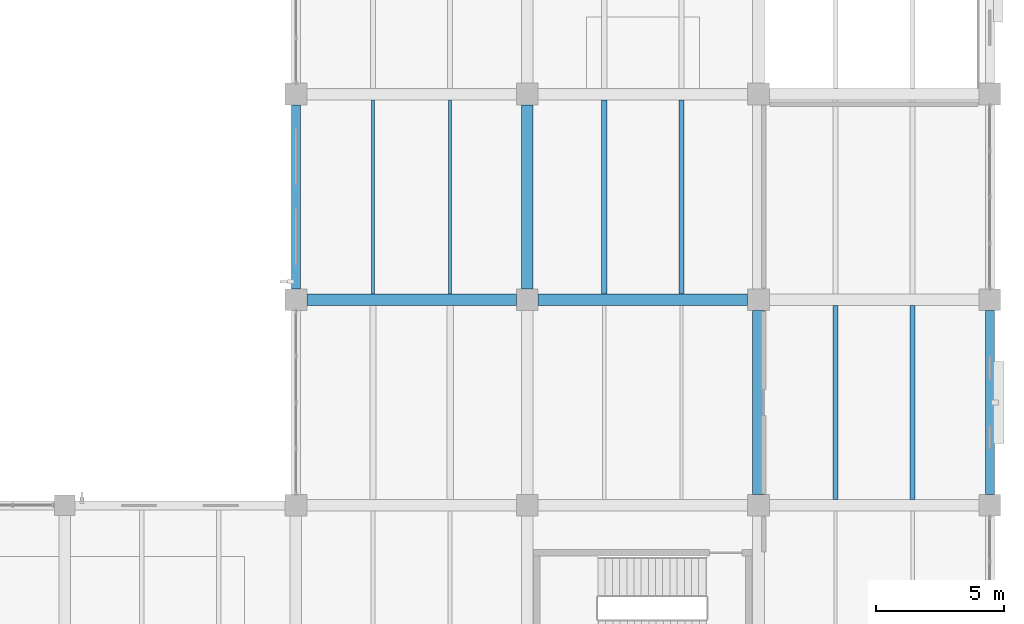
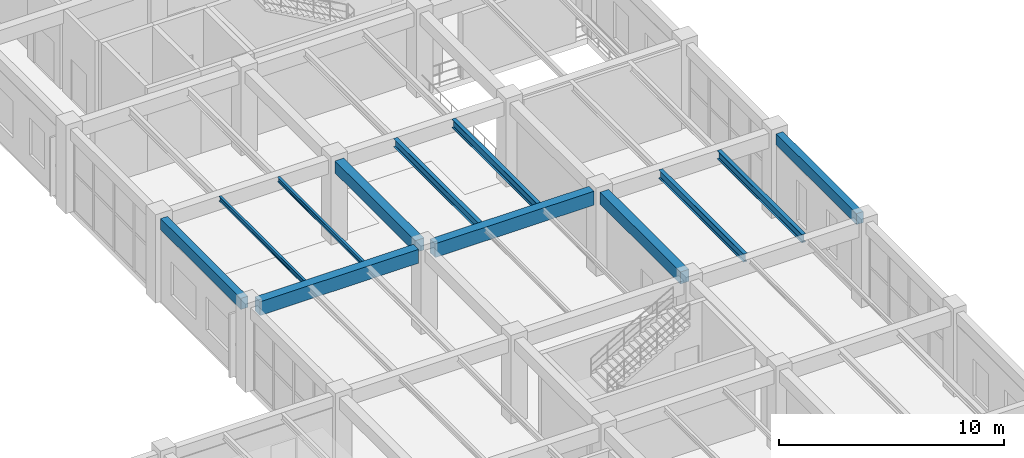
# One storey, part 119 of 178: 12 beams.
"""IFC4 building model written with IfcOpenShell, lengths in metres."""

import ifcopenshell
import ifcopenshell.guid

model = None  # the IFC model being written
_history = None  # IfcOwnerHistory: only IFC2X3 demands one
_inside = {}  # id of a spatial element -> (the spatial element, [elements in it])
_under = {}  # id of a project, library or spatial element -> (it, [spatial elements below it])
_declared = {}  # id of a project -> (the project, [libraries it declares])
_typed = {}  # id of a type object -> (the type object, [elements of that type])
_made_of = {}  # id of a material, layer set ... -> (it, [elements and type objects made of it])


def new_model(schema):
    """Start an empty IFC model of exactly this schema.

    Asked for "IFC4X3", IfcOpenShell would pick the latest addendum, in which some entities
    have other attributes; the version numbers below select the first issue.
    IFC2X3 requires an IfcOwnerHistory on every rooted entity: one is made here for all.
    """
    global model, _history
    if schema == "IFC4X3":
        model = ifcopenshell.file(schema_version=(4, 3, 0, 0))
    else:
        model = ifcopenshell.file(schema=schema)
    _inside.clear()
    _under.clear()
    _declared.clear()
    _typed.clear()
    _made_of.clear()
    _history = None
    if model.schema == "IFC2X3":
        org = make("IfcOrganization", Name="unknown")
        user = make(
            "IfcPersonAndOrganization",
            ThePerson=make("IfcPerson", FamilyName="unknown"),
            TheOrganization=org,
        )
        app = make(
            "IfcApplication",
            ApplicationDeveloper=org,
            Version="unknown",
            ApplicationFullName="unknown",
            ApplicationIdentifier="unknown",
        )
        _history = make(
            "IfcOwnerHistory",
            OwningUser=user,
            OwningApplication=app,
            ChangeAction="ADDED",
            CreationDate=0,
        )
    return model


def make(cls, **values):
    """One entity of the class cls with the attributes given. An attribute that is None is left unset."""
    return model.create_entity(
        cls, **{name: value for name, value in values.items() if value is not None}
    )


def rooted(cls, **values):
    """An entity with a GlobalId (a new one), such as an element, a storey or a relation."""
    return make(cls, GlobalId=ifcopenshell.guid.new(), OwnerHistory=_history, **values)


def si_unit(unit_type, name, prefix=None):
    """IfcSIUnit, for example si_unit("LENGTHUNIT", "METRE", prefix="MILLI")."""
    return make("IfcSIUnit", UnitType=unit_type, Prefix=prefix, Name=name)


def derived_unit(unit_type, elements):
    """IfcDerivedUnit: a product of units, each with its exponent."""
    return make(
        "IfcDerivedUnit",
        Elements=[
            make("IfcDerivedUnitElement", Unit=unit, Exponent=power)
            for unit, power in elements
        ],
        UnitType=unit_type,
    )


def assignment(units):
    """IfcUnitAssignment: the units of a project."""
    return None if units is None else make("IfcUnitAssignment", Units=units)


def point(xyz):
    """IfcCartesianPoint."""
    return None if xyz is None else make("IfcCartesianPoint", Coordinates=xyz)


def direction(xyz):
    """IfcDirection."""
    return None if xyz is None else make("IfcDirection", DirectionRatios=xyz)


def frame(location, z_axis=None, x_axis=None):
    """IfcAxis2Placement3D, a coordinate frame: its origin and axes. An axis left out is left unset."""
    return make(
        "IfcAxis2Placement3D",
        Location=point(location),
        Axis=direction(z_axis),
        RefDirection=direction(x_axis),
    )


def frame_2d(location, x_axis=None):
    """IfcAxis2Placement2D, a coordinate frame in the plane: its origin and x axis."""
    return make(
        "IfcAxis2Placement2D", Location=point(location), RefDirection=direction(x_axis)
    )


def origin():
    """The frame at (0, 0, 0) with its axes left unset."""
    return frame((0.0, 0.0, 0.0))


def origin_2d():
    """The frame at (0, 0) in the plane with its x axis left unset."""
    return frame_2d((0.0, 0.0))


def place(relative_to, where):
    """IfcLocalPlacement: puts the frame where relative to a parent placement (None: the world)."""
    return make(
        "IfcLocalPlacement", PlacementRelTo=relative_to, RelativePlacement=where
    )


def context(
    kind, dimensions, precision=None, world=None, true_north=None, identifier=None
):
    """IfcGeometricRepresentationContext, for example the 3D "Model" context."""
    return make(
        "IfcGeometricRepresentationContext",
        ContextIdentifier=identifier,
        ContextType=kind,
        CoordinateSpaceDimension=dimensions,
        Precision=precision,
        WorldCoordinateSystem=world,
        TrueNorth=true_north,
    )


def subcontext(parent, identifier, kind, view, scale=None):
    """IfcGeometricRepresentationSubContext, for example "Body" below "Model"."""
    return make(
        "IfcGeometricRepresentationSubContext",
        ContextIdentifier=identifier,
        ContextType=kind,
        ParentContext=parent,
        TargetScale=scale,
        TargetView=view,
    )


def project(units=None, contexts=None):
    """IfcProject with its units and contexts."""
    return rooted(
        "IfcProject",
        Name="project",
        RepresentationContexts=contexts,
        UnitsInContext=assignment(units),
    )


def spatial(cls, under=None, at=None, **own):
    """A site, building, storey or space (cls), placed at a placement, below another one or the project."""
    s = rooted(cls, ObjectPlacement=at, **own)
    if under is not None:
        _under.setdefault(under.id(), (under, []))[1].append(s)
    return s


def profile(cls, at=None, kind="AREA", **sizes):
    """A parametric profile (cls). Its sizes go by their IFC names, for example OverallWidth=200.0."""
    return make(cls, ProfileType=kind, Position=at, **sizes)


def rectangle(**sizes):
    """IfcRectangleProfileDef."""
    return profile("IfcRectangleProfileDef", **sizes)


def i_section(**sizes):
    """IfcIShapeProfileDef."""
    return profile("IfcIShapeProfileDef", **sizes)


def extrude(swept, where, along, depth):
    """IfcExtrudedAreaSolid: the profile swept, set in the frame where, extruded along a direction by depth."""
    return make(
        "IfcExtrudedAreaSolid",
        SweptArea=swept,
        Position=where,
        ExtrudedDirection=direction(along),
        Depth=depth,
    )


def shape(context_of_items, identifier, shape_type, items):
    """IfcShapeRepresentation: the items that make up one representation, for example the "Body"."""
    return make(
        "IfcShapeRepresentation",
        ContextOfItems=context_of_items,
        RepresentationIdentifier=identifier,
        RepresentationType=shape_type,
        Items=items,
    )


def material(Name=None, Category=None):
    """IfcMaterial."""
    return make("IfcMaterial", Name=Name, Category=Category)


def material_profile(
    of_material, cross_section, Name=None, Category=None, Priority=None
):
    """IfcMaterialProfile: a cross section and its material."""
    return make(
        "IfcMaterialProfile",
        Name=Name,
        Material=of_material,
        Profile=cross_section,
        Priority=Priority,
        Category=Category,
    )


def profile_set(profiles, Name=None, composite=None):
    """IfcMaterialProfileSet."""
    return make(
        "IfcMaterialProfileSet",
        Name=Name,
        MaterialProfiles=profiles,
        CompositeProfile=composite,
    )


def made_of(thing, what):
    """Note that an element or type object is made of a material, layer set ...; save() writes the relation."""
    if what is not None:
        _made_of.setdefault(what.id(), (what, []))[1].append(thing)
    return thing


def type_object(cls, material=None, **own):
    """A type object (cls), such as IfcWallType, which elements share."""
    return made_of(rooted(cls, **own), material)


def element(
    cls,
    number,
    at=None,
    inside=None,
    cuts=None,
    type_object=None,
    material=None,
    context=None,
    identifier="Body",
    shape_type=None,
    held_by="IfcProductDefinitionShape",
    body=None,
    shapes=None,
    **own,
):
    """One element of the class cls, such as IfcWall. Its Tag is "e" and its number.

    at: its placement. inside: the storey or other place that contains it. cuts: it is an
    opening in that element (IfcRelVoidsElement). A single representation is given by context,
    identifier, shape_type and body (its items); several are given by shapes. held_by: the class
    of the entity that holds the representations. save() writes the other relations.
    """
    e = rooted(cls, Tag="e%d" % number, ObjectPlacement=at, **own)
    if body is not None:
        shapes = [shape(context, identifier, shape_type, body)]
    if shapes is not None:
        e.Representation = make(held_by, Representations=shapes)
    if inside is not None:
        _inside.setdefault(inside.id(), (inside, []))[1].append(e)
    if cuts is not None:
        rooted(
            "IfcRelVoidsElement", RelatingBuildingElement=cuts, RelatedOpeningElement=e
        )
    if type_object is not None:
        _typed.setdefault(type_object.id(), (type_object, []))[1].append(e)
    return made_of(e, material)


def aggregate(whole, parts):
    """IfcRelAggregates: a whole, such as a stair, and the parts it consists of."""
    return rooted("IfcRelAggregates", RelatingObject=whole, RelatedObjects=parts)


def save(model, path):
    """Write the relations noted so far, then the file.

    IfcRelAggregates (storeys below a building ...), IfcRelContainedInSpatialStructure (elements
    in a storey), IfcRelDefinesByType, IfcRelAssociatesMaterial and IfcRelDeclares: one each for
    every whole, place, type object, material and project.
    """
    for whole, parts in _under.values():
        aggregate(whole, parts)
    for where, things in _inside.values():
        rooted(
            "IfcRelContainedInSpatialStructure",
            RelatedElements=things,
            RelatingStructure=where,
        )
    for kind, things in _typed.values():
        rooted("IfcRelDefinesByType", RelatedObjects=things, RelatingType=kind)
    for what, things in _made_of.values():
        rooted("IfcRelAssociatesMaterial", RelatedObjects=things, RelatingMaterial=what)
    for by, libraries in _declared.values():
        rooted("IfcRelDeclares", RelatingContext=by, RelatedDefinitions=libraries)
    model.write(path)


model = new_model("IFC4")

# Units and contexts
model_context = context("Model", 3, precision=1e-05, world=origin(), true_north=direction((0.0, 1.0)))
body_context = subcontext(model_context, "Body", "Model", "MODEL_VIEW")
ifc_project = project(units=[si_unit("LENGTHUNIT", "METRE"), si_unit("AREAUNIT", "SQUARE_METRE"), si_unit("VOLUMEUNIT", "CUBIC_METRE"), si_unit("PLANEANGLEUNIT", "RADIAN"), si_unit("MASSUNIT", "GRAM", prefix="KILO"), derived_unit("THERMALTRANSMITTANCEUNIT", [(si_unit("MASSUNIT", "GRAM", prefix="KILO"), 1), (si_unit("TIMEUNIT", "SECOND"), -3), (si_unit("THERMODYNAMICTEMPERATUREUNIT", "KELVIN"), -1)])], contexts=[model_context])

# Site, building, storey
site_placement = place(None, origin())
site = spatial("IfcSite", under=ifc_project, at=site_placement, CompositionType="ELEMENT")
building_placement = place(site_placement, origin())
building = spatial("IfcBuilding", under=site, at=building_placement, Name="Zhenchuan Archway Interchange", CompositionType="ELEMENT")
storey_placement = place(building_placement, frame((0.0, 0.0, 5.39990234375)))
storey = spatial("IfcBuildingStorey", under=building, at=storey_placement, Name="L01", CompositionType="ELEMENT", Elevation=5.39990234375)

# Beams
ifc_material_1 = material(Name="Concrete C40", Category="concrete")
ifc_material_profile_1 = material_profile(ifc_material_1, rectangle(XDim=0.449951171875, YDim=0.64990234375, at=origin_2d()), Name="RC 450x650")
ifc_profile_set_1 = profile_set([ifc_material_profile_1], Name="Concrete C40")
beam_type_1 = type_object("IfcBeamType", Name="BM_RC_450x650", PredefinedType="BEAM", material=ifc_profile_set_1)
for number, where, z_axis, x_axis, name in (
    (1, (153.0, 32.425048828125, 4.18505859375), (0.0, 1.0, 0.0), (-1.0, 0.0, 0.0), "Beam 18:E-F (L01)"),
    (2, (162.0, 24.425048828125, 4.18505859375), (0.0, 1.0, 0.0), (-1.0, 0.0, 0.0), "Beam 19:D-E (L01)"),
):
    element("IfcBeam", number, at=place(storey_placement, frame(where, z_axis=z_axis, x_axis=x_axis)), inside=storey, type_object=beam_type_1, Name=name, PredefinedType="BEAM", context=body_context, shape_type="SweptSolid", body=[
        extrude(rectangle(XDim=0.449951171875, YDim=0.64990234375, at=origin_2d()), origin(), (0.0, 0.0, 1.0), 7.14990234375),
    ])
ifc_material_profile_2 = material_profile(ifc_material_1, rectangle(XDim=0.449951171875, YDim=0.75, at=origin_2d()), Name="RC 450x750")
ifc_profile_set_2 = profile_set([ifc_material_profile_2], Name="Concrete C40")
beam_type_2 = type_object("IfcBeamType", Name="BM_RC_450x750", PredefinedType="BEAM", material=ifc_profile_set_2)
for number, where, z_axis, x_axis, name in (
    (3, (144.425048828125, 32.0, 4.135009765625), (1.0, 0.0, 0.0), (0.0, 1.0, 0.0), "Beam E:17-18 (L01)"),
    (4, (153.425048828125, 32.0, 4.135009765625), (1.0, 0.0, 0.0), (0.0, 1.0, 0.0), "Beam E:18-19 (L01)"),
):
    element("IfcBeam", number, at=place(storey_placement, frame(where, z_axis=z_axis, x_axis=x_axis)), inside=storey, type_object=beam_type_2, Name=name, PredefinedType="BEAM", context=body_context, shape_type="SweptSolid", body=[
        extrude(rectangle(XDim=0.449951171875, YDim=0.75, at=origin_2d()), origin(), (0.0, 0.0, 1.0), 8.14990234375),
    ])
ifc_material_2 = material(Name="Steel Q355", Category="steel")
ifc_material_profile_3 = material_profile(ifc_material_2, i_section(OverallWidth=0.125, OverallDepth=0.25, WebThickness=0.006103515625, FlangeThickness=0.009033203125, FilletRadius=0.011962890625, at=origin_2d()), Name="HN 250x125")
ifc_profile_set_3 = profile_set([ifc_material_profile_3], Name="Steel Q355")
beam_type_3 = type_object("IfcBeamType", Name="JST_STL_HN250", PredefinedType="JOIST", material=ifc_profile_set_3)
for number, where, z_axis, x_axis, name in (
    (5, (147.0, 32.22509765625, 4.385009765625), (0.0, 1.0, 0.0), (-1.0, 0.0, 0.0), "Secondary joist 17-18/E-F #1 (L01)"),
    (6, (150.0, 32.22509765625, 4.385009765625), (0.0, 1.0, 0.0), (-1.0, 0.0, 0.0), "Secondary joist 17-18/E-F #2 (L01)"),
):
    element("IfcBeam", number, at=place(storey_placement, frame(where, z_axis=z_axis, x_axis=x_axis)), inside=storey, type_object=beam_type_3, Name=name, PredefinedType="JOIST", context=body_context, shape_type="SweptSolid", body=[
        extrude(i_section(OverallWidth=0.125, OverallDepth=0.25, WebThickness=0.006103515625, FlangeThickness=0.009033203125, FilletRadius=0.011962890625, at=origin_2d()), origin(), (0.0, 0.0, 1.0), 7.5498046875),
    ])
ifc_material_profile_4 = material_profile(ifc_material_2, i_section(OverallWidth=0.199951171875, OverallDepth=0.449951171875, WebThickness=0.009033203125, FlangeThickness=0.013916015625, FilletRadius=0.01806640625, at=origin_2d()), Name="HN 450x200")
ifc_profile_set_4 = profile_set([ifc_material_profile_4], Name="Steel Q355")
beam_type_4 = type_object("IfcBeamType", Name="JST_STL_HN450", PredefinedType="JOIST", material=ifc_profile_set_4)
for number, where, z_axis, x_axis, name in (
    (7, (156.0, 32.22509765625, 4.28515625), (0.0, 1.0, 0.0), (-1.0, 0.0, 0.0), "Secondary joist 18-19/E-F #1 (L01)"),
    (8, (159.0, 32.22509765625, 4.28515625), (0.0, 1.0, 0.0), (-1.0, 0.0, 0.0), "Secondary joist 18-19/E-F #2 (L01)"),
    (9, (165.0, 24.22509765625, 4.28515625), (0.0, 1.0, 0.0), (-1.0, 0.0, 0.0), "Secondary joist 19-20/D-E #1 (L01)"),
    (10, (168.0, 24.22509765625, 4.28515625), (0.0, 1.0, 0.0), (-1.0, 0.0, 0.0), "Secondary joist 19-20/D-E #2 (L01)"),
):
    element("IfcBeam", number, at=place(storey_placement, frame(where, z_axis=z_axis, x_axis=x_axis)), inside=storey, type_object=beam_type_4, Name=name, PredefinedType="JOIST", context=body_context, shape_type="SweptSolid", body=[
        extrude(i_section(OverallWidth=0.199951171875, OverallDepth=0.449951171875, WebThickness=0.009033203125, FlangeThickness=0.013916015625, FilletRadius=0.01806640625, at=origin_2d()), origin(), (0.0, 0.0, 1.0), 7.5498046875),
    ])
ifc_material_profile_5 = material_profile(ifc_material_1, rectangle(XDim=0.35009765625, YDim=0.60009765625, at=origin_2d()), Name="RC 350x600")
ifc_profile_set_5 = profile_set([ifc_material_profile_5], Name="Concrete C40")
beam_type_5 = type_object("IfcBeamType", Name="SP_RC_350x600", PredefinedType="SPANDREL", material=ifc_profile_set_5)
for number, where, z_axis, x_axis, name in (
    (11, (144.0, 32.425048828125, 4.210205078125), (0.0, 1.0, 0.0), (-1.0, 0.0, 0.0), "Beam 17:E-F (L01)"),
    (12, (171.0, 24.425048828125, 4.210205078125), (0.0, 1.0, 0.0), (-1.0, 0.0, 0.0), "Beam 20:D-E (L01)"),
):
    element("IfcBeam", number, at=place(storey_placement, frame(where, z_axis=z_axis, x_axis=x_axis)), inside=storey, type_object=beam_type_5, Name=name, PredefinedType="SPANDREL", context=body_context, shape_type="SweptSolid", body=[
        extrude(rectangle(XDim=0.35009765625, YDim=0.60009765625, at=origin_2d()), origin(), (0.0, 0.0, 1.0), 7.14990234375),
    ])

save(model, "model.ifc")
